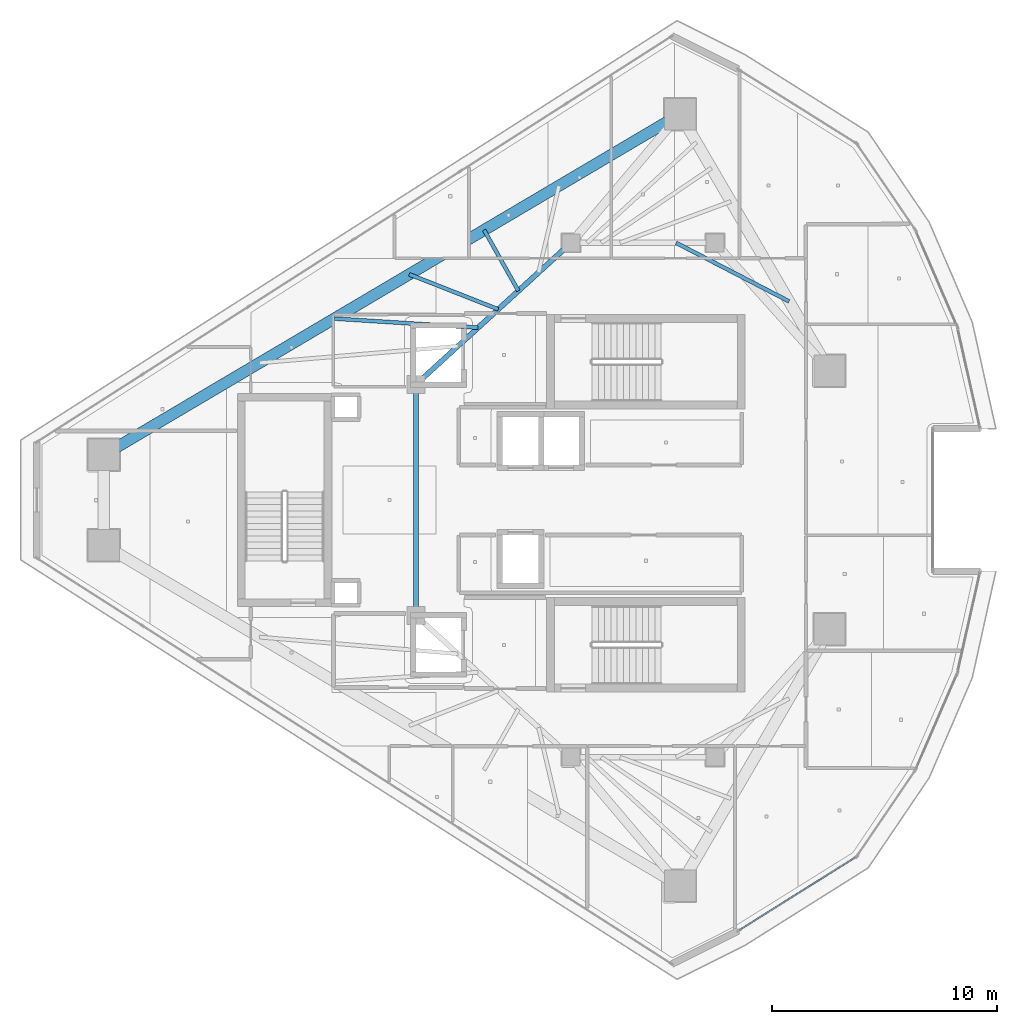
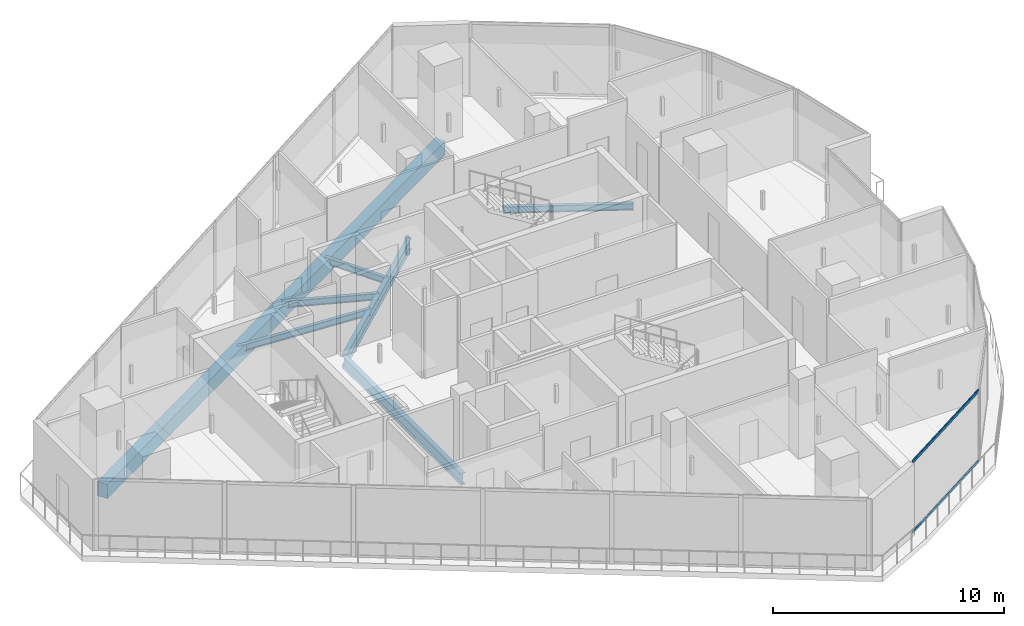
# One storey, part 10 of 26: 7 beams, 2 members, 1 element without a shape of its own.
"""IFC4 building model written with IfcOpenShell, lengths in metres."""

from ifc_helpers import new_model, si_unit, direction, frame, origin, origin_2d, place, context, subcontext, project, spatial, rectangle, hollow_rectangle, i_section, extrude, material, layer, layer_set, material_profile, profile_set, type_object, element, aggregate, save


model = new_model("IFC4")

# Units and contexts
model_context = context("Model", 3, precision=1e-05, world=origin(), true_north=direction((0.0, 1.0)))
body_context = subcontext(model_context, "Body", "Model", "MODEL_VIEW")
ifc_project = project(units=[si_unit("LENGTHUNIT", "METRE"), si_unit("AREAUNIT", "SQUARE_METRE"), si_unit("VOLUMEUNIT", "CUBIC_METRE"), si_unit("PLANEANGLEUNIT", "RADIAN"), si_unit("MASSUNIT", "GRAM", prefix="KILO")], contexts=[model_context])

# Site, building, storey
site_placement = place(None, origin())
site = spatial("IfcSite", under=ifc_project, at=site_placement, CompositionType="ELEMENT")
building_placement = place(site_placement, origin())
building = spatial("IfcBuilding", under=site, at=building_placement, Name="Qorvath Tower", CompositionType="ELEMENT")
storey_placement = place(building_placement, frame((0.0, 0.0, 322.800048828125)))
storey = spatial("IfcBuildingStorey", under=building, at=storey_placement, Name="L75", CompositionType="ELEMENT", Elevation=322.800048828125)

# Beams
ifc_material_1 = material(Name="Steel ASTM A992 Grade 50", Category="steel")
ifc_material_profile_1 = material_profile(ifc_material_1, i_section(OverallWidth=0.22998046875, OverallDepth=0.616943359375, WebThickness=0.01318359375, FlangeThickness=0.022216796875, FilletRadius=0.014892578125, at=origin_2d()), Name="W24x94")
ifc_profile_set_1 = profile_set([ifc_material_profile_1], Name="Steel ASTM A992 Grade 50")
beam_type_1 = type_object("IfcBeamType", Name="BM-FG6", PredefinedType="BEAM", material=ifc_profile_set_1)
beam_1_placement = place(storey_placement, frame((-30.5, -5.14990234375, -0.5986328125), z_axis=(0.0, 1.0, 0.0), x_axis=(-1.0, 0.0, 0.0)))
element("IfcBeam", 1, at=beam_1_placement, inside=storey, type_object=beam_type_1, Name="Core Ring Girder CC6-CC5 L75", PredefinedType="BEAM", context=body_context, shape_type="SweptSolid", body=[
    extrude(i_section(OverallWidth=0.22998046875, OverallDepth=0.616943359375, WebThickness=0.01318359375, FlangeThickness=0.022216796875, FilletRadius=0.014892578125, at=origin_2d()), origin(), (0.0, 0.0, 1.0), 10.2998046875),
])
beam_2_placement = place(storey_placement, frame((-30.5, 5.14990234375, -0.5986328125), z_axis=(0.73847813985, 0.6742774184, 0.0), x_axis=(-0.6742774184, 0.73847813985, 0.0)))
element("IfcBeam", 2, at=beam_2_placement, inside=storey, type_object=beam_type_1, Name="Core Ring Girder CC5-CC1 L75", PredefinedType="BEAM", context=body_context, shape_type="SweptSolid", body=[
    extrude(i_section(OverallWidth=0.22998046875, OverallDepth=0.616943359375, WebThickness=0.01318359375, FlangeThickness=0.022216796875, FilletRadius=0.014892578125, at=origin_2d()), origin(), (0.0, 0.0, 1.0), 9.343505859375),
])
ifc_material_2 = material(Name="Steel ASTM A992 Grade 50", Category="steel")
ifc_material_profile_2 = material_profile(ifc_material_2, i_section(OverallWidth=0.1708984375, OverallDepth=0.35107421875, WebThickness=0.0068359375, FlangeThickness=0.009765625, FilletRadius=0.010009765625, at=origin_2d()), Name="W14x30")
ifc_profile_set_2 = profile_set([ifc_material_profile_2], Name="Steel ASTM A992 Grade 50")
beam_type_2 = type_object("IfcBeamType", Name="BM-FJ4", PredefinedType="JOIST", material=ifc_profile_set_2)
beam_3_placement = place(storey_placement, frame((-18.927978515625, 11.449951171875, -0.465576171875), z_axis=(0.887840529015, -0.460151274082, 0.0), x_axis=(0.460151274082, 0.887840529015, 0.0)))
element("IfcBeam", 3, at=beam_3_placement, inside=storey, type_object=beam_type_2, Name="Composite Floor Joist NE2 L75", PredefinedType="JOIST", context=body_context, shape_type="SweptSolid", body=[
    extrude(i_section(OverallWidth=0.1708984375, OverallDepth=0.35107421875, WebThickness=0.0068359375, FlangeThickness=0.009765625, FilletRadius=0.010009765625, at=origin_2d()), origin(), (0.0, 0.0, 1.0), 5.670654296875),
])
beam_4_placement = place(storey_placement, frame((-27.739990234375, 7.669921875, -0.465576171875), z_axis=(-0.998006998641, 0.063103333222, 0.0), x_axis=(-0.063103333222, -0.998006998641, 0.0)))
element("IfcBeam", 4, at=beam_4_placement, inside=storey, type_object=beam_type_2, Name="Composite Floor Joist NW3 L75", PredefinedType="JOIST", context=body_context, shape_type="SweptSolid", body=[
    extrude(i_section(OverallWidth=0.1708984375, OverallDepth=0.35107421875, WebThickness=0.0068359375, FlangeThickness=0.009765625, FilletRadius=0.010009765625, at=origin_2d()), origin(), (0.0, 0.0, 1.0), 6.41455078125),
])
beam_5_placement = place(storey_placement, frame((-26.843017578125, 8.489013671875, -0.465576171875), z_axis=(-0.930720832638, 0.365730408489, 0.0), x_axis=(-0.365730408489, -0.930720832638, 0.0)))
element("IfcBeam", 5, at=beam_5_placement, inside=storey, type_object=beam_type_2, Name="Composite Floor Joist NW4 L75", PredefinedType="JOIST", context=body_context, shape_type="SweptSolid", body=[
    extrude(i_section(OverallWidth=0.1708984375, OverallDepth=0.35107421875, WebThickness=0.0068359375, FlangeThickness=0.009765625, FilletRadius=0.010009765625, at=origin_2d()), origin(), (0.0, 0.0, 1.0), 4.259033203125),
])
beam_6_placement = place(storey_placement, frame((-25.946044921875, 9.30810546875, -0.465576171875), z_axis=(-0.490626385489, 0.871370041866, 0.0), x_axis=(-0.871370041866, -0.490626385489, 0.0)))
element("IfcBeam", 6, at=beam_6_placement, inside=storey, type_object=beam_type_2, Name="Composite Floor Joist NW5 L75", PredefinedType="JOIST", context=body_context, shape_type="SweptSolid", body=[
    extrude(i_section(OverallWidth=0.1708984375, OverallDepth=0.35107421875, WebThickness=0.0068359375, FlangeThickness=0.009765625, FilletRadius=0.010009765625, at=origin_2d()), origin(), (0.0, 0.0, 1.0), 3.110595703125),
])
ifc_material_3 = material(Name="Concrete C45/55", Category="concrete")
ifc_material_profile_3 = material_profile(ifc_material_3, rectangle(XDim=0.5, YDim=0.75, at=origin_2d()), Name="RCB 750x500")
ifc_profile_set_3 = profile_set([ifc_material_profile_3], Name="Concrete C45/55")
beam_type_3 = type_object("IfcBeamType", Name="BM-RCB3", PredefinedType="SPANDREL", material=ifc_profile_set_3)
beam_7_placement = place(storey_placement, frame((-18.75048828125, 17.175537109375, -0.6650390625), z_axis=(-0.860780849348, -0.508975765038, 0.0), x_axis=(0.508975765038, -0.860780849348, 0.0)))
element("IfcBeam", 7, at=beam_7_placement, inside=storey, type_object=beam_type_3, Name="Perimeter Loggia Frame Beam MC6-MC1 L75", PredefinedType="SPANDREL", context=body_context, shape_type="SweptSolid", body=[
    extrude(rectangle(XDim=0.5, YDim=0.75, at=origin_2d()), origin(), (0.0, 0.0, 1.0), 29.801025390625),
])

# Curtain wall, members
ifc_material_4 = material(Name="Anodised aluminium and triple low-E glass", Category="aluminium")
ifc_layer = layer(ifc_material_4, 0.179931640625)
ifc_layer_set = layer_set([ifc_layer], Name="CW-SYS-4")
curtain_wall_type = type_object("IfcCurtainWallType", Name="CW-SYS-4", PredefinedType="NOTDEFINED", material=ifc_layer_set)
curtain_wall_placement = place(storey_placement, origin())
curtain_wall = element("IfcCurtainWall", 8, at=curtain_wall_placement, inside=storey, type_object=curtain_wall_type, Name="Curtain Wall CW-4 CW-T-L75-4.1", PredefinedType="NOTDEFINED")
ifc_material_5 = material(Name="Anodised aluminium 6063-T6", Category="aluminium")
ifc_material_profile_4 = material_profile(ifc_material_5, hollow_rectangle(XDim=0.06494140625, YDim=0.159912109375, WallThickness=0.00341796875, InnerFilletRadius=0.00341796875, OuterFilletRadius=0.007080078125, at=origin_2d()), Name="CWT 160x65")
ifc_profile_set_4 = profile_set([ifc_material_profile_4], Name="Anodised aluminium 6063-T6")
member_type = type_object("IfcMemberType", Name="CWT-160", PredefinedType="USERDEFINED", material=ifc_profile_set_4)
member_1_placement = place(storey_placement, frame((-16.1005859375, -19.140625, 0.032470703125), z_axis=(0.847174981643, 0.531313984832, 0.0), x_axis=(-0.531313984832, 0.847174981643, 0.0)))
member_1 = element("IfcMember", 9, at=member_1_placement, type_object=member_type, Name="CW-4 transom 1.1", ObjectType="TRANSOM", PredefinedType="USERDEFINED", context=body_context, shape_type="SweptSolid", body=[
    extrude(hollow_rectangle(XDim=0.06494140625, YDim=0.159912109375, WallThickness=0.00341796875, InnerFilletRadius=0.00341796875, OuterFilletRadius=0.007080078125, at=origin_2d()), origin(), (0.0, 0.0, 1.0), 6.071533203125),
])
member_2_placement = place(storey_placement, frame((-16.1005859375, -19.140625, 3.74755859375), z_axis=(0.847174981643, 0.531313984832, 0.0), x_axis=(-0.531313984832, 0.847174981643, 0.0)))
member_2 = element("IfcMember", 10, at=member_2_placement, type_object=member_type, Name="CW-4 transom 1.2", ObjectType="TRANSOM", PredefinedType="USERDEFINED", context=body_context, shape_type="SweptSolid", body=[
    extrude(hollow_rectangle(XDim=0.06494140625, YDim=0.159912109375, WallThickness=0.00341796875, InnerFilletRadius=0.00341796875, OuterFilletRadius=0.007080078125, at=origin_2d()), origin(), (0.0, 0.0, 1.0), 6.071533203125),
])
aggregate(curtain_wall, [member_1, member_2])

save(model, "model.ifc")
